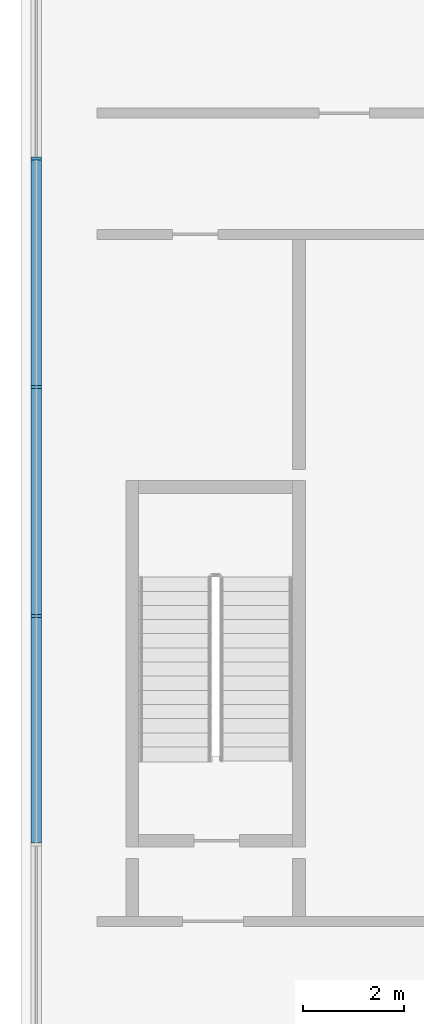
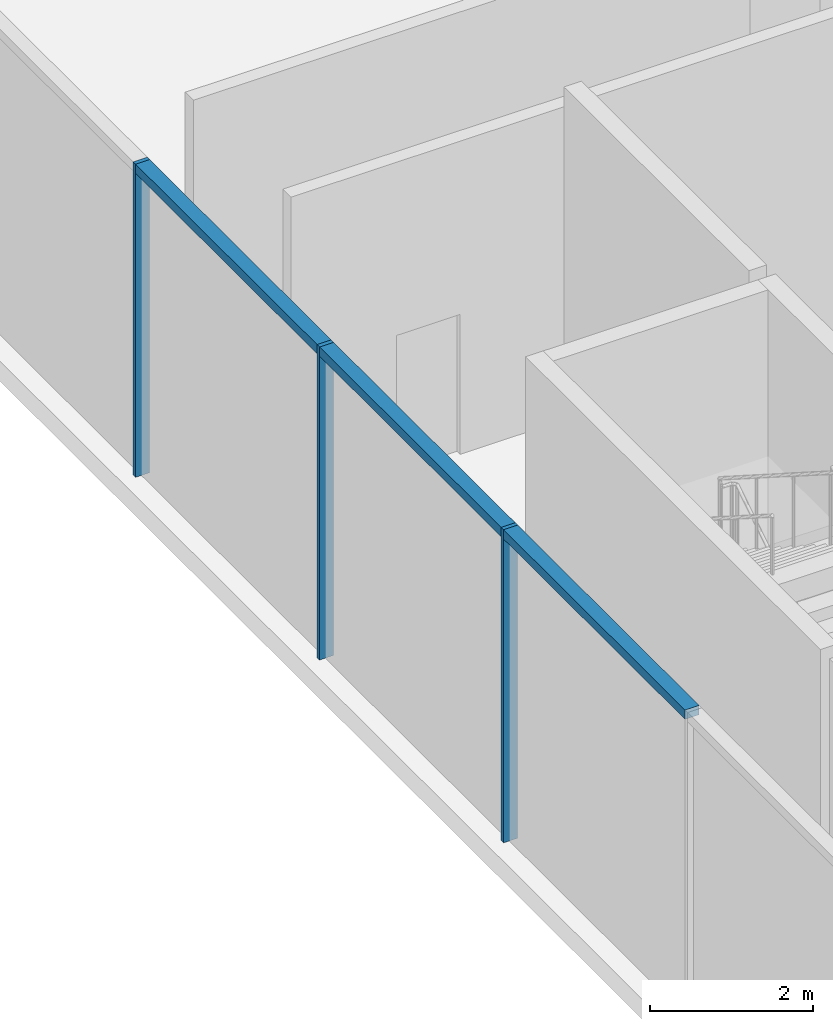
# One storey, part 3 of 20: 6 members, 1 element without a shape of its own.
"""IFC4 building model written with IfcOpenShell, lengths in metres."""

from ifc_helpers import new_model, si_unit, direction, frame, origin, origin_2d, place, context, subcontext, project, spatial, rectangle, extrude, material, material_profile, profile_set, type_object, element, aggregate, save


model = new_model("IFC4")

# Units and contexts
model_context = context("Model", 3, precision=1e-05, world=origin(), true_north=direction((0.0, 1.0)))
body_context = subcontext(model_context, "Body", "Model", "MODEL_VIEW")
ifc_project = project(units=[si_unit("LENGTHUNIT", "METRE"), si_unit("AREAUNIT", "SQUARE_METRE"), si_unit("VOLUMEUNIT", "CUBIC_METRE"), si_unit("PLANEANGLEUNIT", "RADIAN"), si_unit("MASSUNIT", "GRAM", prefix="KILO")], contexts=[model_context])

# Site, building, storey
site_placement = place(None, origin())
site = spatial("IfcSite", under=ifc_project, at=site_placement, CompositionType="ELEMENT")
building_placement = place(site_placement, origin())
building = spatial("IfcBuilding", under=site, at=building_placement, Name="Bicima Exchange Tower", CompositionType="ELEMENT")
storey_placement = place(building_placement, frame((0.0, 0.0, 25.0)))
storey = spatial("IfcBuildingStorey", under=building, at=storey_placement, Name="L04", CompositionType="ELEMENT", Elevation=25.0)

# Curtain wall, members
ifc_material = material(Name="Anodised bronze aluminium", Category="aluminium")
curtain_wall_type = type_object("IfcCurtainWallType", Name="Lobby glazing", PredefinedType="NOTDEFINED", material=ifc_material)
curtain_wall_placement = place(storey_placement, origin())
curtain_wall = element("IfcCurtainWall", 1, at=curtain_wall_placement, inside=storey, type_object=curtain_wall_type, Name="Podium glazing L04 west 1", PredefinedType="NOTDEFINED")
ifc_material_profile_1 = material_profile(ifc_material, rectangle(XDim=0.199951171875, YDim=0.06005859375, at=origin_2d()))
ifc_profile_set_1 = profile_set([ifc_material_profile_1], Name="Anodised bronze aluminium")
member_type_1 = type_object("IfcMemberType", Name="Lobby glazing mullion 60 x 200", PredefinedType="MULLION", material=ifc_profile_set_1)
member_1_placement = place(storey_placement, frame((-43.199951171875, -13.902099609375, 0.0), z_axis=(0.0, 0.0, 1.0), x_axis=(1.0, 0.0, 0.0)))
member_1 = element("IfcMember", 2, at=member_1_placement, type_object=member_type_1, Name="Lobby glazing mullion 4", PredefinedType="MULLION", context=body_context, shape_type="SweptSolid", body=[
    extrude(rectangle(XDim=0.199951171875, YDim=0.06005859375, at=origin_2d()), origin(), (0.0, 0.0, 1.0), 4.699951171875),
])
member_2_placement = place(storey_placement, frame((-43.199951171875, -18.426025390625, 0.0), z_axis=(0.0, 0.0, 1.0), x_axis=(1.0, 0.0, 0.0)))
member_2 = element("IfcMember", 3, at=member_2_placement, type_object=member_type_1, Name="Lobby glazing mullion 5", PredefinedType="MULLION", context=body_context, shape_type="SweptSolid", body=[
    extrude(rectangle(XDim=0.199951171875, YDim=0.06005859375, at=origin_2d()), origin(), (0.0, 0.0, 1.0), 4.699951171875),
])
member_3_placement = place(storey_placement, frame((-43.199951171875, -22.949951171875, 0.0), z_axis=(0.0, 0.0, 1.0), x_axis=(1.0, 0.0, 0.0)))
member_3 = element("IfcMember", 4, at=member_3_placement, type_object=member_type_1, Name="Lobby glazing mullion 6", PredefinedType="MULLION", context=body_context, shape_type="SweptSolid", body=[
    extrude(rectangle(XDim=0.199951171875, YDim=0.06005859375, at=origin_2d()), origin(), (0.0, 0.0, 1.0), 4.699951171875),
])
ifc_material_profile_2 = material_profile(ifc_material, rectangle(XDim=0.199951171875, YDim=0.139892578125, at=origin_2d()))
ifc_profile_set_2 = profile_set([ifc_material_profile_2], Name="Anodised bronze aluminium")
member_type_2 = type_object("IfcMemberType", Name="Lobby glazing transom 140 x 200", PredefinedType="USERDEFINED", material=ifc_profile_set_2)
member_4_placement = place(storey_placement, frame((-43.199951171875, -13.931884765625, 4.6298828125), z_axis=(0.0, -1.0, 0.0), x_axis=(1.0, 0.0, 0.0)))
member_4 = element("IfcMember", 5, at=member_4_placement, type_object=member_type_2, Name="Lobby glazing transom 4.1", ObjectType="TRANSOM", PredefinedType="USERDEFINED", context=body_context, shape_type="SweptSolid", body=[
    extrude(rectangle(XDim=0.199951171875, YDim=0.139892578125, at=origin_2d()), origin(), (0.0, 0.0, 1.0), 4.464111328125),
])
member_5_placement = place(storey_placement, frame((-43.199951171875, -18.4560546875, 4.6298828125), z_axis=(0.0, -1.0, 0.0), x_axis=(1.0, 0.0, 0.0)))
member_5 = element("IfcMember", 6, at=member_5_placement, type_object=member_type_2, Name="Lobby glazing transom 5.1", ObjectType="TRANSOM", PredefinedType="USERDEFINED", context=body_context, shape_type="SweptSolid", body=[
    extrude(rectangle(XDim=0.199951171875, YDim=0.139892578125, at=origin_2d()), origin(), (0.0, 0.0, 1.0), 4.4638671875),
])
member_6_placement = place(storey_placement, frame((-43.199951171875, -22.97998046875, 4.6298828125), z_axis=(0.0, -1.0, 0.0), x_axis=(1.0, 0.0, 0.0)))
member_6 = element("IfcMember", 7, at=member_6_placement, type_object=member_type_2, Name="Lobby glazing transom 6.1", ObjectType="TRANSOM", PredefinedType="USERDEFINED", context=body_context, shape_type="SweptSolid", body=[
    extrude(rectangle(XDim=0.199951171875, YDim=0.139892578125, at=origin_2d()), origin(), (0.0, 0.0, 1.0), 4.464111328125),
])
aggregate(curtain_wall, [member_1, member_2, member_3, member_4, member_5, member_6])

save(model, "model.ifc")
